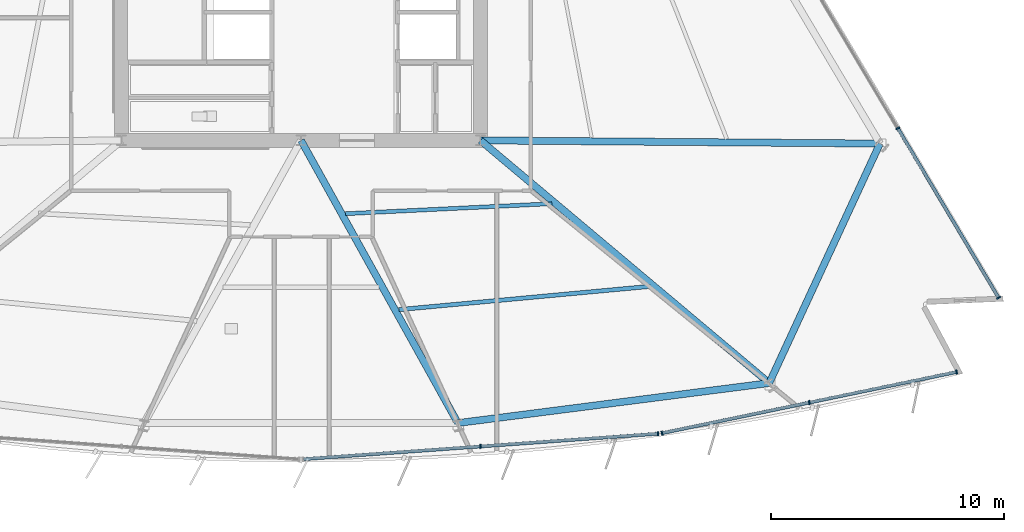
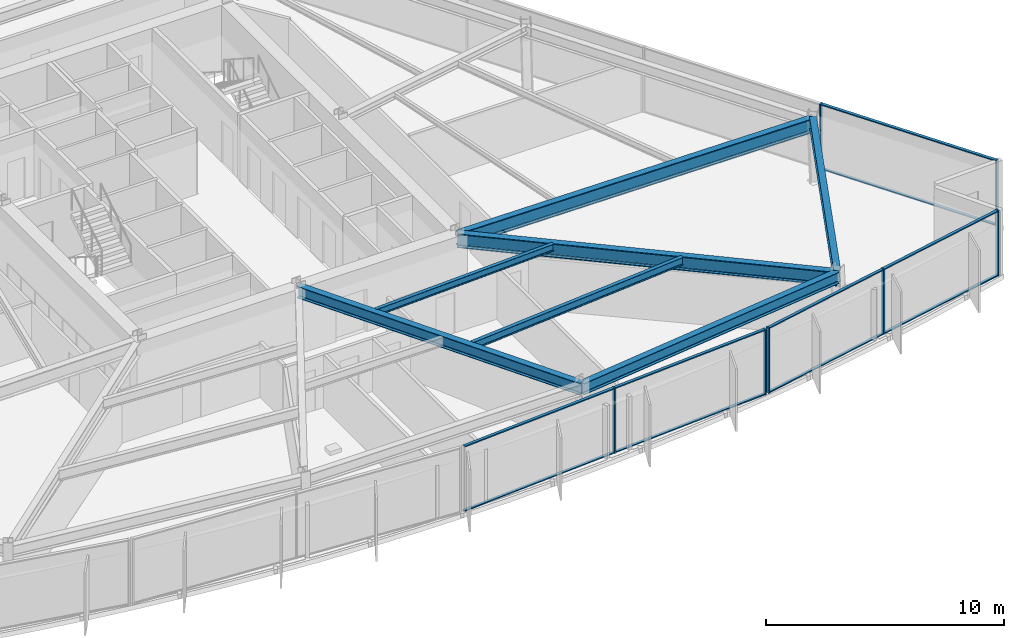
# One storey, part 5 of 18: 17 members, 7 beams, 3 elements without a shape of their own.
"""IFC4 building model written with IfcOpenShell, lengths in metres."""

from ifc_helpers import new_model, si_unit, direction, frame, origin, origin_2d, place, context, subcontext, project, spatial, rectangle, i_section, extrude, material, material_profile, profile_set, type_object, element, aggregate, save


model = new_model("IFC4")

# Units and contexts
model_context = context("Model", 3, precision=1e-05, world=origin(), true_north=direction((0.0, 1.0)))
body_context = subcontext(model_context, "Body", "Model", "MODEL_VIEW")
ifc_project = project(units=[si_unit("LENGTHUNIT", "METRE"), si_unit("AREAUNIT", "SQUARE_METRE"), si_unit("VOLUMEUNIT", "CUBIC_METRE"), si_unit("PLANEANGLEUNIT", "RADIAN"), si_unit("MASSUNIT", "GRAM", prefix="KILO")], contexts=[model_context])

# Site, building, storey
site_placement = place(None, origin())
site = spatial("IfcSite", under=ifc_project, at=site_placement, CompositionType="ELEMENT")
building_placement = place(site_placement, origin())
building = spatial("IfcBuilding", under=site, at=building_placement, Name="Savorim Split Tower", CompositionType="ELEMENT")
storey_placement = place(building_placement, frame((0.0, 0.0, 37.199951171875)))
storey = spatial("IfcBuildingStorey", under=building, at=storey_placement, Name="L09", CompositionType="ELEMENT", Elevation=37.199951171875)

# Beams
ifc_material_1 = material(Name="Steel S355", Category="steel")
ifc_material_profile_1 = material_profile(ifc_material_1, i_section(OverallWidth=0.169921875, OverallDepth=0.360107421875, WebThickness=0.008056640625, FlangeThickness=0.0126953125, FilletRadius=0.01806640625, at=origin_2d()), Name="IPE 360")
ifc_profile_set_1 = profile_set([ifc_material_profile_1], Name="Steel S355")
beam_type_1 = type_object("IfcBeamType", Name="BM-JST-IPE360", PredefinedType="JOIST", material=ifc_profile_set_1)
beam_1_placement = place(storey_placement, frame((1.91015625, -12.544921875, 3.170166015625), z_axis=(0.998819632464, 0.048573056355, 0.0), x_axis=(-0.048573056355, 0.998819632464, 0.0)))
element("IfcBeam", 1, at=beam_1_placement, inside=storey, type_object=beam_type_1, Name="L09 Secondary Floor Joist JS-05", PredefinedType="JOIST", context=body_context, shape_type="SweptSolid", body=[
    extrude(i_section(OverallWidth=0.169921875, OverallDepth=0.360107421875, WebThickness=0.008056640625, FlangeThickness=0.0126953125, FilletRadius=0.01806640625, at=origin_2d()), origin(), (0.0, 0.0, 1.0), 8.861328125),
])
ifc_material_profile_2 = material_profile(ifc_material_1, i_section(OverallWidth=0.179931640625, OverallDepth=0.39990234375, WebThickness=0.008544921875, FlangeThickness=0.013427734375, FilletRadius=0.02099609375, at=origin_2d()), Name="IPE 400")
ifc_profile_set_2 = profile_set([ifc_material_profile_2], Name="Steel S355")
beam_type_2 = type_object("IfcBeamType", Name="BM-JST-IPE400", PredefinedType="JOIST", material=ifc_profile_set_2)
beam_2_placement = place(storey_placement, frame((4.19873046875, -16.660400390625, 3.150146484375), z_axis=(0.995726969398, 0.092346101234, 0.0), x_axis=(-0.092346101234, 0.995726969398, 0.0)))
element("IfcBeam", 2, at=beam_2_placement, inside=storey, type_object=beam_type_2, Name="L09 Secondary Floor Joist JS-04", PredefinedType="JOIST", context=body_context, shape_type="SweptSolid", body=[
    extrude(i_section(OverallWidth=0.179931640625, OverallDepth=0.39990234375, WebThickness=0.008544921875, FlangeThickness=0.013427734375, FilletRadius=0.02099609375, at=origin_2d()), origin(), (0.0, 0.0, 1.0), 10.82080078125),
])
ifc_material_profile_3 = material_profile(ifc_material_1, i_section(OverallWidth=0.300048828125, OverallDepth=0.60009765625, WebThickness=0.015380859375, FlangeThickness=0.030029296875, FilletRadius=0.027099609375, at=origin_2d()), Name="HEB 600")
ifc_profile_set_3 = profile_set([ifc_material_profile_3], Name="Steel S355")
beam_type_3 = type_object("IfcBeamType", Name="BM-PRI-HEB600", PredefinedType="BEAM", material=ifc_profile_set_3)
beam_3_placement = place(storey_placement, frame((6.732421875, -21.525146484375, 3.050048828125), z_axis=(-0.485432174121, 0.874274330132, 0.0), x_axis=(-0.874274330132, -0.485432174121, 0.0)))
element("IfcBeam", 3, at=beam_3_placement, inside=storey, type_object=beam_type_3, Name="L09 Primary Floor Girder RG-03", PredefinedType="BEAM", context=body_context, shape_type="SweptSolid", body=[
    extrude(i_section(OverallWidth=0.300048828125, OverallDepth=0.60009765625, WebThickness=0.015380859375, FlangeThickness=0.030029296875, FilletRadius=0.027099609375, at=origin_2d()), origin(), (0.0, 0.0, 1.0), 13.868896484375),
])
ifc_material_2 = material(Name="Steel S460", Category="steel")
ifc_material_profile_4 = material_profile(ifc_material_2, i_section(OverallWidth=0.303955078125, OverallDepth=0.716064453125, WebThickness=0.02099609375, FlangeThickness=0.0400390625, FilletRadius=0.027099609375, at=origin_2d()), Name="HE 700 M")
ifc_profile_set_4 = profile_set([ifc_material_profile_4], Name="Steel S460")
beam_type_4 = type_object("IfcBeamType", Name="BM-PRI-HEM700", PredefinedType="BEAM", material=ifc_profile_set_4)
beam_4_placement = place(storey_placement, frame((20.087890625, -19.810546875, 2.991943359375), z_axis=(-0.765559503325, 0.643365096092, 0.0), x_axis=(-0.643365096092, -0.765559503325, 0.0)))
element("IfcBeam", 4, at=beam_4_placement, inside=storey, type_object=beam_type_4, Name="L09 Primary Floor Girder RG-04", PredefinedType="BEAM", context=body_context, shape_type="SweptSolid", body=[
    extrude(i_section(OverallWidth=0.303955078125, OverallDepth=0.716064453125, WebThickness=0.02099609375, FlangeThickness=0.0400390625, FilletRadius=0.027099609375, at=origin_2d()), origin(), (0.0, 0.0, 1.0), 16.181640625),
])
beam_5_placement = place(storey_placement, frame((24.838623046875, -9.53515625, 2.991943359375), z_axis=(-0.999968861691, 0.007891492156, 0.0), x_axis=(-0.007891492156, -0.999968861691, 0.0)))
element("IfcBeam", 5, at=beam_5_placement, inside=storey, type_object=beam_type_4, Name="L09 Primary Floor Girder RG-05", PredefinedType="BEAM", context=body_context, shape_type="SweptSolid", body=[
    extrude(i_section(OverallWidth=0.303955078125, OverallDepth=0.716064453125, WebThickness=0.02099609375, FlangeThickness=0.0400390625, FilletRadius=0.027099609375, at=origin_2d()), origin(), (0.0, 0.0, 1.0), 17.13916015625),
])
ifc_material_profile_5 = material_profile(ifc_material_1, i_section(OverallWidth=0.300048828125, OverallDepth=0.590087890625, WebThickness=0.012939453125, FlangeThickness=0.02490234375, FilletRadius=0.027099609375, at=origin_2d()), Name="HEA 600")
ifc_profile_set_5 = profile_set([ifc_material_profile_5], Name="Steel S355")
beam_type_5 = type_object("IfcBeamType", Name="BM-SPN-HEA600", PredefinedType="SPANDREL", material=ifc_profile_set_5)
beam_6_placement = place(storey_placement, frame((6.732421875, -21.525146484375, 3.054931640625), z_axis=(0.991859542537, 0.127336749913, 0.0), x_axis=(-0.127336749913, 0.991859542537, 0.0)))
element("IfcBeam", 6, at=beam_6_placement, inside=storey, type_object=beam_type_5, Name="L09 Perimeter Spandrel Beam 3", PredefinedType="SPANDREL", context=body_context, shape_type="SweptSolid", body=[
    extrude(i_section(OverallWidth=0.300048828125, OverallDepth=0.590087890625, WebThickness=0.012939453125, FlangeThickness=0.02490234375, FilletRadius=0.027099609375, at=origin_2d()), origin(), (0.0, 0.0, 1.0), 13.465087890625),
])
beam_7_placement = place(storey_placement, frame((20.087890625, -19.810546875, 3.054931640625), z_axis=(0.419658470367, 0.907682085451, 0.0), x_axis=(-0.907682085451, 0.419658470367, 0.0)))
element("IfcBeam", 7, at=beam_7_placement, inside=storey, type_object=beam_type_5, Name="L09 Perimeter Spandrel Beam 4", PredefinedType="SPANDREL", context=body_context, shape_type="SweptSolid", body=[
    extrude(i_section(OverallWidth=0.300048828125, OverallDepth=0.590087890625, WebThickness=0.012939453125, FlangeThickness=0.02490234375, FilletRadius=0.027099609375, at=origin_2d()), origin(), (0.0, 0.0, 1.0), 11.320556640625),
])

# Curtain wall, members
ifc_material_3 = material(Name="Dark Ceramic-Fritted Insulated Glass", Category="glass")
curtain_wall_type = type_object("IfcCurtainWallType", Name="CW-TWR-FRIT-A", PredefinedType="NOTDEFINED", material=ifc_material_3)
curtain_wall_1_placement = place(storey_placement, origin())
curtain_wall_1 = element("IfcCurtainWall", 8, at=curtain_wall_1_placement, inside=storey, type_object=curtain_wall_type, Name="L09 Curtain Wall CW-L09-SF3", PredefinedType="NOTDEFINED")
ifc_material_4 = material(Name="Charcoal Anodised Aluminium", Category="aluminium")
ifc_material_profile_6 = material_profile(ifc_material_4, rectangle(XDim=0.179931640625, YDim=0.06494140625, at=origin_2d()), Name="ALU-M 180x65")
ifc_profile_set_6 = profile_set([ifc_material_profile_6], Name="Charcoal Anodised Aluminium")
member_type_1 = type_object("IfcMemberType", Name="CWM-180x65", PredefinedType="MULLION", material=ifc_profile_set_6)
member_1_placement = place(storey_placement, frame((7.7021484375, -22.527099609375, 0.0), z_axis=(0.0, 0.0, 1.0), x_axis=(-0.071560199658, 0.997436282589, 0.0)))
member_1 = element("IfcMember", 9, at=member_1_placement, type_object=member_type_1, Name="CW-02 mullion 2", PredefinedType="MULLION", context=body_context, shape_type="SweptSolid", body=[
    extrude(rectangle(XDim=0.179931640625, YDim=0.06494140625, at=origin_2d()), origin(), (0.0, 0.0, 1.0), 3.35009765625),
])
member_2_placement = place(storey_placement, frame((15.320556640625, -21.98046875, 0.0), z_axis=(0.0, 0.0, 1.0), x_axis=(-0.071560199658, 0.997436282589, 0.0)))
member_2 = element("IfcMember", 10, at=member_2_placement, type_object=member_type_1, Name="CW-02 mullion 3", PredefinedType="MULLION", context=body_context, shape_type="SweptSolid", body=[
    extrude(rectangle(XDim=0.179931640625, YDim=0.06494140625, at=origin_2d()), origin(), (0.0, 0.0, 1.0), 3.35009765625),
])

curtain_wall_2_placement = place(storey_placement, origin())
curtain_wall_2 = element("IfcCurtainWall", 11, at=curtain_wall_2_placement, inside=storey, type_object=curtain_wall_type, Name="L09 Curtain Wall CW-L09-SF4", PredefinedType="NOTDEFINED")
member_3_placement = place(storey_placement, frame((15.487548828125, -21.957275390625, 0.0), z_axis=(0.0, 0.0, 1.0), x_axis=(-0.203210322793, 0.979135110549, 0.0)))
member_3 = element("IfcMember", 12, at=member_3_placement, type_object=member_type_1, Name="CW-02 mullion 1", PredefinedType="MULLION", context=body_context, shape_type="SweptSolid", body=[
    extrude(rectangle(XDim=0.179931640625, YDim=0.06494140625, at=origin_2d()), origin(), (0.0, 0.0, 1.0), 3.35009765625),
])
member_4_placement = place(storey_placement, frame((21.807861328125, -20.6455078125, 0.0), z_axis=(0.0, 0.0, 1.0), x_axis=(-0.203210322793, 0.979135110549, 0.0)))
member_4 = element("IfcMember", 13, at=member_4_placement, type_object=member_type_1, Name="CW-02 mullion 2", PredefinedType="MULLION", context=body_context, shape_type="SweptSolid", body=[
    extrude(rectangle(XDim=0.179931640625, YDim=0.06494140625, at=origin_2d()), origin(), (0.0, 0.0, 1.0), 3.35009765625),
])
member_5_placement = place(storey_placement, frame((28.12841796875, -19.333740234375, 0.0), z_axis=(0.0, 0.0, 1.0), x_axis=(-0.203210322793, 0.979135110549, 0.0)))
member_5 = element("IfcMember", 14, at=member_5_placement, type_object=member_type_1, Name="CW-02 mullion 3", PredefinedType="MULLION", context=body_context, shape_type="SweptSolid", body=[
    extrude(rectangle(XDim=0.179931640625, YDim=0.06494140625, at=origin_2d()), origin(), (0.0, 0.0, 1.0), 3.35009765625),
])

curtain_wall_3_placement = place(storey_placement, origin())
curtain_wall_3 = element("IfcCurtainWall", 15, at=curtain_wall_3_placement, inside=storey, type_object=curtain_wall_type, Name="L09 Curtain Wall CW-L09-EAST", PredefinedType="NOTDEFINED")
member_6_placement = place(storey_placement, frame((29.927978515625, -16.14990234375, 0.0), z_axis=(0.0, 0.0, 1.0), x_axis=(-0.859525752007, -0.511092439425, 0.0)))
member_6 = element("IfcMember", 16, at=member_6_placement, type_object=member_type_1, Name="CW-02 mullion 1", PredefinedType="MULLION", context=body_context, shape_type="SweptSolid", body=[
    extrude(rectangle(XDim=0.179931640625, YDim=0.06494140625, at=origin_2d()), origin(), (0.0, 0.0, 1.0), 3.35009765625),
])
member_7_placement = place(storey_placement, frame((25.604248046875, -8.878662109375, 0.0), z_axis=(0.0, 0.0, 1.0), x_axis=(-0.859525752007, -0.511092439425, 0.0)))
member_7 = element("IfcMember", 17, at=member_7_placement, type_object=member_type_1, Name="CW-02 mullion 2", PredefinedType="MULLION", context=body_context, shape_type="SweptSolid", body=[
    extrude(rectangle(XDim=0.179931640625, YDim=0.06494140625, at=origin_2d()), origin(), (0.0, 0.0, 1.0), 3.35009765625),
])

# Member
ifc_material_profile_7 = material_profile(ifc_material_4, rectangle(XDim=0.139892578125, YDim=0.054931640625, at=origin_2d()), Name="ALU-T 140x55")
ifc_profile_set_7 = profile_set([ifc_material_profile_7], Name="Charcoal Anodised Aluminium")
member_type_2 = type_object("IfcMemberType", Name="CWT-140x55", PredefinedType="USERDEFINED", material=ifc_profile_set_7)
member_8_placement = place(storey_placement, frame((0.1162109375, -23.0712890625, 0.027587890625), z_axis=(0.997437873969, 0.071538014879, 0.0), x_axis=(-0.071538014879, 0.997437873969, 0.0)))
member_8 = element("IfcMember", 18, at=member_8_placement, type_object=member_type_2, Name="CW-02 transom 1.1", ObjectType="TRANSOM", PredefinedType="USERDEFINED", context=body_context, shape_type="SweptSolid", body=[
    extrude(rectangle(XDim=0.139892578125, YDim=0.054931640625, at=origin_2d()), origin(), (0.0, 0.0, 1.0), 7.57275390625),
])

member_9_placement = place(storey_placement, frame((0.1162109375, -23.0712890625, 3.322509765625), z_axis=(0.997437873969, 0.071538014879, 0.0), x_axis=(-0.071538014879, 0.997437873969, 0.0)))
member_9 = element("IfcMember", 19, at=member_9_placement, type_object=member_type_2, Name="CW-02 transom 1.2", ObjectType="TRANSOM", PredefinedType="USERDEFINED", context=body_context, shape_type="SweptSolid", body=[
    extrude(rectangle(XDim=0.139892578125, YDim=0.054931640625, at=origin_2d()), origin(), (0.0, 0.0, 1.0), 7.57275390625),
])

member_10_placement = place(storey_placement, frame((7.734619140625, -22.524658203125, 0.027587890625), z_axis=(0.997437873969, 0.071538014879, 0.0), x_axis=(-0.071538014879, 0.997437873969, 0.0)))
member_10 = element("IfcMember", 20, at=member_10_placement, type_object=member_type_2, Name="CW-02 transom 2.1", ObjectType="TRANSOM", PredefinedType="USERDEFINED", context=body_context, shape_type="SweptSolid", body=[
    extrude(rectangle(XDim=0.139892578125, YDim=0.054931640625, at=origin_2d()), origin(), (0.0, 0.0, 1.0), 7.57275390625),
])

member_11_placement = place(storey_placement, frame((7.734619140625, -22.524658203125, 3.322509765625), z_axis=(0.997437873969, 0.071538014879, 0.0), x_axis=(-0.071538014879, 0.997437873969, 0.0)))
member_11 = element("IfcMember", 21, at=member_11_placement, type_object=member_type_2, Name="CW-02 transom 2.2", ObjectType="TRANSOM", PredefinedType="USERDEFINED", context=body_context, shape_type="SweptSolid", body=[
    extrude(rectangle(XDim=0.139892578125, YDim=0.054931640625, at=origin_2d()), origin(), (0.0, 0.0, 1.0), 7.57275390625),
])

aggregate(curtain_wall_1, [member_1, member_2, member_8, member_9, member_10, member_11])

member_12_placement = place(storey_placement, frame((15.519287109375, -21.95068359375, 0.027587890625), z_axis=(0.979133980901, 0.203215765741, 0.0), x_axis=(-0.203215765741, 0.979133980901, 0.0)))
member_12 = element("IfcMember", 22, at=member_12_placement, type_object=member_type_2, Name="CW-02 transom 1.1", ObjectType="TRANSOM", PredefinedType="USERDEFINED", context=body_context, shape_type="SweptSolid", body=[
    extrude(rectangle(XDim=0.139892578125, YDim=0.054931640625, at=origin_2d()), origin(), (0.0, 0.0, 1.0), 6.39013671875),
])

member_13_placement = place(storey_placement, frame((15.519287109375, -21.95068359375, 3.322509765625), z_axis=(0.979133980901, 0.203215765741, 0.0), x_axis=(-0.203215765741, 0.979133980901, 0.0)))
member_13 = element("IfcMember", 23, at=member_13_placement, type_object=member_type_2, Name="CW-02 transom 1.2", ObjectType="TRANSOM", PredefinedType="USERDEFINED", context=body_context, shape_type="SweptSolid", body=[
    extrude(rectangle(XDim=0.139892578125, YDim=0.054931640625, at=origin_2d()), origin(), (0.0, 0.0, 1.0), 6.39013671875),
])

member_14_placement = place(storey_placement, frame((21.83984375, -20.638916015625, 0.027587890625), z_axis=(0.979132403047, 0.203223368003, 0.0), x_axis=(-0.203223368003, 0.979132403047, 0.0)))
member_14 = element("IfcMember", 24, at=member_14_placement, type_object=member_type_2, Name="CW-02 transom 2.1", ObjectType="TRANSOM", PredefinedType="USERDEFINED", context=body_context, shape_type="SweptSolid", body=[
    extrude(rectangle(XDim=0.139892578125, YDim=0.054931640625, at=origin_2d()), origin(), (0.0, 0.0, 1.0), 6.389892578125),
])

member_15_placement = place(storey_placement, frame((21.83984375, -20.638916015625, 3.322509765625), z_axis=(0.979132403047, 0.203223368003, 0.0), x_axis=(-0.203223368003, 0.979132403047, 0.0)))
member_15 = element("IfcMember", 25, at=member_15_placement, type_object=member_type_2, Name="CW-02 transom 2.2", ObjectType="TRANSOM", PredefinedType="USERDEFINED", context=body_context, shape_type="SweptSolid", body=[
    extrude(rectangle(XDim=0.139892578125, YDim=0.054931640625, at=origin_2d()), origin(), (0.0, 0.0, 1.0), 6.389892578125),
])

aggregate(curtain_wall_2, [member_3, member_4, member_5, member_12, member_13, member_14, member_15])

member_16_placement = place(storey_placement, frame((29.911376953125, -16.1220703125, 0.027587890625), z_axis=(-0.511091652485, 0.859526219938, 0.0), x_axis=(-0.859526219938, -0.511091652485, 0.0)))
member_16 = element("IfcMember", 26, at=member_16_placement, type_object=member_type_2, Name="CW-02 transom 1.1", ObjectType="TRANSOM", PredefinedType="USERDEFINED", context=body_context, shape_type="SweptSolid", body=[
    extrude(rectangle(XDim=0.139892578125, YDim=0.054931640625, at=origin_2d()), origin(), (0.0, 0.0, 1.0), 8.394775390625),
])

member_17_placement = place(storey_placement, frame((29.911376953125, -16.1220703125, 3.322509765625), z_axis=(-0.511091652485, 0.859526219938, 0.0), x_axis=(-0.859526219938, -0.511091652485, 0.0)))
member_17 = element("IfcMember", 27, at=member_17_placement, type_object=member_type_2, Name="CW-02 transom 1.2", ObjectType="TRANSOM", PredefinedType="USERDEFINED", context=body_context, shape_type="SweptSolid", body=[
    extrude(rectangle(XDim=0.139892578125, YDim=0.054931640625, at=origin_2d()), origin(), (0.0, 0.0, 1.0), 8.394775390625),
])

aggregate(curtain_wall_3, [member_6, member_7, member_16, member_17])

save(model, "model.ifc")
